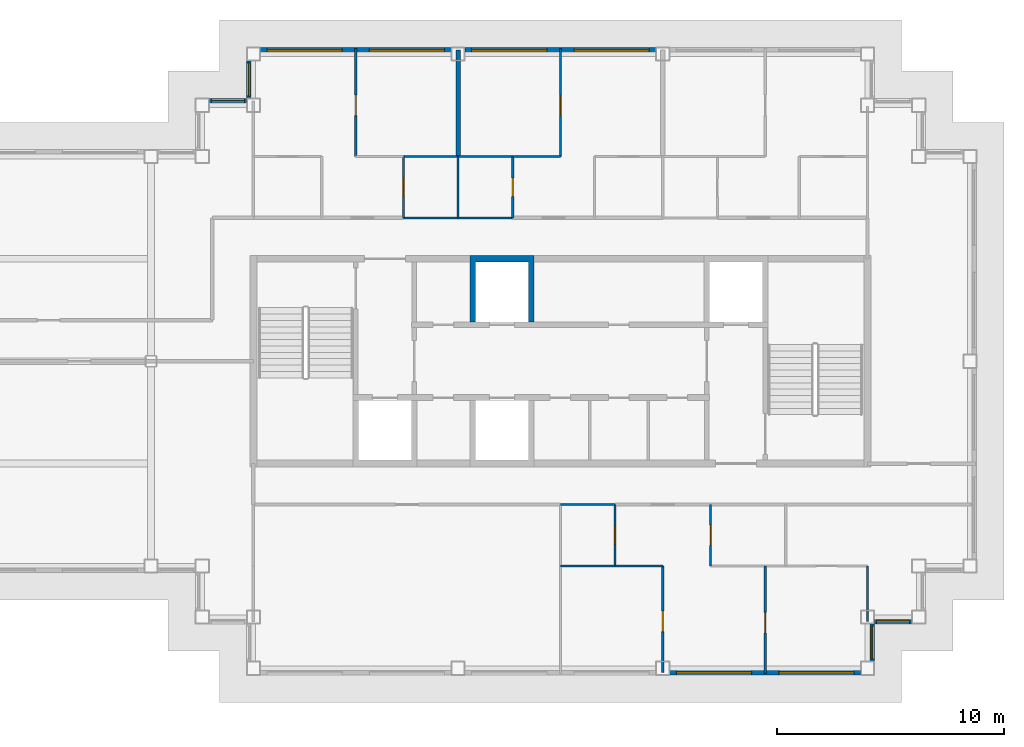
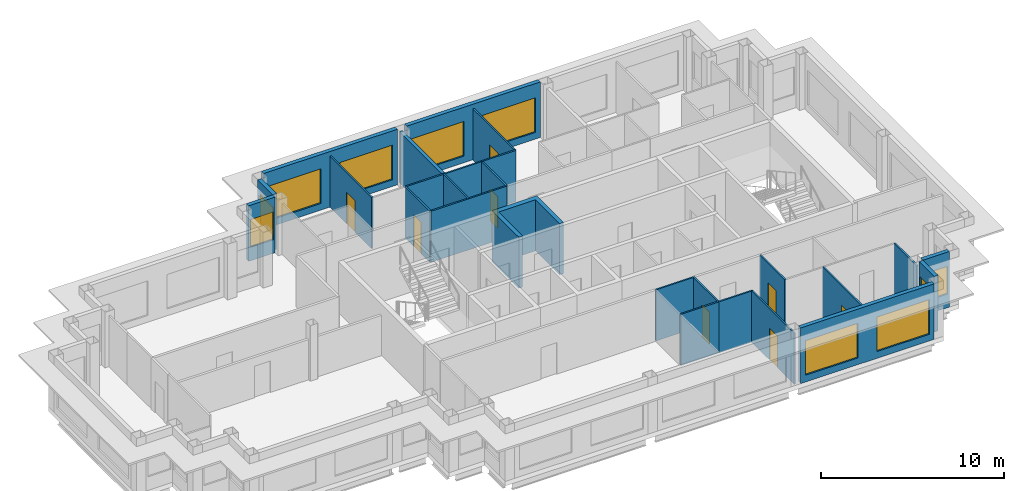
# One storey, part 4 of 11: 25 walls, 10 windows, 8 doors, 18 openings.
"""IFC4 building model written with IfcOpenShell, lengths in metres."""

from ifc_helpers import new_model, si_unit, direction, frame, frame_2d, origin, place, context, subcontext, project, spatial, polyline, rectangle, outline, extrude, material, layer, layer_set, type_object, element, fill, save


model = new_model("IFC4")

# Units and contexts
model_context = context("Model", 3, precision=1e-05, world=origin(), true_north=direction((0.0, 1.0)))
body_context = subcontext(model_context, "Body", "Model", "MODEL_VIEW")
ifc_project = project(units=[si_unit("LENGTHUNIT", "METRE"), si_unit("AREAUNIT", "SQUARE_METRE"), si_unit("VOLUMEUNIT", "CUBIC_METRE"), si_unit("PLANEANGLEUNIT", "RADIAN"), si_unit("MASSUNIT", "GRAM", prefix="KILO")], contexts=[model_context])

# Site, building, storey
site_placement = place(None, origin())
site = spatial("IfcSite", under=ifc_project, at=site_placement, CompositionType="ELEMENT")
building_placement = place(site_placement, origin())
building = spatial("IfcBuilding", under=site, at=building_placement, Name="Caravel Reach Hotel and Residences", CompositionType="ELEMENT")
storey_placement = place(building_placement, frame((0.0, 0.0, 271.199951171875)))
storey = spatial("IfcBuildingStorey", under=building, at=storey_placement, Name="L69", CompositionType="ELEMENT", Elevation=271.199951171875)

# Walls
ifc_material_1 = material(Name="Gypsum board on steel stud", Category="steel")
ifc_layer_1 = layer(ifc_material_1, 0.10009765625)
ifc_layer_set_1 = layer_set([ifc_layer_1], Name="Bathroom pod wall 100 mm")
wall_type_1 = type_object("IfcWallType", Name="Bathroom pod wall 100 mm", PredefinedType="PARTITIONING", material=ifc_layer_set_1)
for number, where, z_axis, x_axis, name in (
    (1, (31.5, 18.0, 0.0), (0.0, 0.0, 1.0), (1.0, 0.0, 0.0), "L69 wall w055"),
    (2, (31.5, 20.699951171875, 0.0), (0.0, 0.0, 1.0), (1.0, 0.0, 0.0), "L69 wall w056"),
):
    element("IfcWall", number, at=place(storey_placement, frame(where, z_axis=z_axis, x_axis=x_axis)), inside=storey, type_object=wall_type_1, Name=name, PredefinedType="PARTITIONING", context=body_context, shape_type="SweptSolid", body=[
        extrude(rectangle(XDim=2.39990234375, YDim=0.10009765625, at=frame_2d((1.199951171875, 0.0))), origin(), (0.0, 0.0, 1.0), 3.400146484375),
    ])
for number, where, z_axis, x_axis, name in (
    (3, (24.60009765625, 33.300048828125, 0.0), (0.0, 0.0, 1.0), (1.0, 0.0, 0.0), "L69 wall w057"),
    (4, (24.60009765625, 36.0, 0.0), (0.0, 0.0, 1.0), (1.0, 0.0, 0.0), "L69 wall w060"),
):
    element("IfcWall", number, at=place(storey_placement, frame(where, z_axis=z_axis, x_axis=x_axis)), inside=storey, type_object=wall_type_1, Name=name, PredefinedType="PARTITIONING", context=body_context, shape_type="SweptSolid", body=[
        extrude(rectangle(XDim=4.7998046875, YDim=0.10009765625, at=frame_2d((2.39990234375, 0.0))), origin(), (0.0, 0.0, 1.0), 3.400146484375),
    ])

# Wall, opening, door
wall_1_placement = place(storey_placement, frame((24.60009765625, 33.300048828125, 0.0), z_axis=(0.0, 0.0, 1.0), x_axis=(0.0, 1.0, 0.0)))
wall_1 = element("IfcWall", 5, at=wall_1_placement, inside=storey, type_object=wall_type_1, Name="L69 wall w063", PredefinedType="PARTITIONING", context=body_context, shape_type="SweptSolid", body=[
    extrude(rectangle(XDim=2.699951171875, YDim=0.10009765625, at=frame_2d((1.35009765625, 0.0))), origin(), (0.0, 0.0, 1.0), 3.400146484375),
])
opening_1_placement = place(wall_1_placement, frame((0.949951171875, 0.0, 0.0)))
opening_1 = element("IfcOpeningElement", 6, at=opening_1_placement, cuts=wall_1, Name="Opening D69-019", PredefinedType="OPENING", context=body_context, shape_type="SweptSolid", body=[
    extrude(rectangle(XDim=0.800048828125, YDim=2.10009765625, at=frame_2d((0.39990234375, 1.050048828125))), frame((0.0, 0.06005859375, 0.0), z_axis=(0.0, -1.0, 0.0), x_axis=(1.0, 0.0, 0.0)), (0.0, 0.0, 1.0), 0.1201171875),
])
ifc_material_2 = material(Name="Timber and steel door leaf", Category="steel")
door_type_1 = type_object("IfcDoorType", Name="Bathroom door 800 x 2100", OperationType="SINGLE_SWING_LEFT", PredefinedType="DOOR", material=ifc_material_2)
door_1_placement = place(opening_1_placement, origin())
door_1 = element("IfcDoor", 7, at=door_1_placement, inside=storey, type_object=door_type_1, Name="door D69-019", OperationType="SINGLE_SWING_LEFT", OverallHeight=2.10009765625, OverallWidth=0.800048828125, PredefinedType="DOOR", context=body_context, shape_type="SweptSolid", body=[
    extrude(rectangle(XDim=0.800048828125, YDim=2.10009765625, at=frame_2d((0.39990234375, 1.050048828125))), frame((0.0, 0.02490234375, 0.0), z_axis=(0.0, -1.0, 0.0), x_axis=(1.0, 0.0, 0.0)), (0.0, 0.0, 1.0), 0.050048828125),
])
fill(opening_1, door_1)

# Wall
wall_2_placement = place(storey_placement, frame((27.0, 33.300048828125, 0.0), z_axis=(0.0, 0.0, 1.0), x_axis=(0.0, 1.0, 0.0)))
element("IfcWall", 8, at=wall_2_placement, inside=storey, type_object=wall_type_1, Name="L69 wall w064", PredefinedType="PARTITIONING", context=body_context, shape_type="SweptSolid", body=[
    extrude(rectangle(XDim=2.699951171875, YDim=0.10009765625, at=frame_2d((1.35009765625, 0.0))), origin(), (0.0, 0.0, 1.0), 3.400146484375),
])

# Wall, opening, door
wall_3_placement = place(storey_placement, frame((29.39990234375, 33.300048828125, 0.0), z_axis=(0.0, 0.0, 1.0), x_axis=(0.0, 1.0, 0.0)))
wall_3 = element("IfcWall", 9, at=wall_3_placement, inside=storey, type_object=wall_type_1, Name="L69 wall w065", PredefinedType="PARTITIONING", context=body_context, shape_type="SweptSolid", body=[
    extrude(rectangle(XDim=2.699951171875, YDim=0.10009765625, at=frame_2d((1.35009765625, 0.0))), origin(), (0.0, 0.0, 1.0), 3.400146484375),
])
opening_2_placement = place(wall_3_placement, frame((0.949951171875, 0.0, 0.0)))
opening_2 = element("IfcOpeningElement", 10, at=opening_2_placement, cuts=wall_3, Name="Opening D69-022", PredefinedType="OPENING", context=body_context, shape_type="SweptSolid", body=[
    extrude(rectangle(XDim=0.800048828125, YDim=2.10009765625, at=frame_2d((0.39990234375, 1.050048828125))), frame((0.0, 0.06005859375, 0.0), z_axis=(0.0, -1.0, 0.0), x_axis=(1.0, 0.0, 0.0)), (0.0, 0.0, 1.0), 0.1201171875),
])
door_2_placement = place(opening_2_placement, origin())
door_2 = element("IfcDoor", 11, at=door_2_placement, inside=storey, type_object=door_type_1, Name="door D69-022", OperationType="SINGLE_SWING_RIGHT", OverallHeight=2.10009765625, OverallWidth=0.800048828125, PredefinedType="DOOR", context=body_context, shape_type="SweptSolid", body=[
    extrude(rectangle(XDim=0.800048828125, YDim=2.10009765625, at=frame_2d((0.39990234375, 1.050048828125))), frame((0.0, 0.02490234375, 0.0), z_axis=(0.0, -1.0, 0.0), x_axis=(1.0, 0.0, 0.0)), (0.0, 0.0, 1.0), 0.050048828125),
])
fill(opening_2, door_2)

wall_4_placement = place(storey_placement, frame((33.89990234375, 18.0, 0.0), z_axis=(0.0, 0.0, 1.0), x_axis=(0.0, 1.0, 0.0)))
wall_4 = element("IfcWall", 12, at=wall_4_placement, inside=storey, type_object=wall_type_1, Name="L69 wall w067", PredefinedType="PARTITIONING", context=body_context, shape_type="SweptSolid", body=[
    extrude(rectangle(XDim=2.699951171875, YDim=0.10009765625, at=frame_2d((1.35009765625, 0.0))), origin(), (0.0, 0.0, 1.0), 3.400146484375),
])
opening_3_placement = place(wall_4_placement, frame((0.949951171875, 0.0, 0.0)))
opening_3 = element("IfcOpeningElement", 13, at=opening_3_placement, cuts=wall_4, Name="Opening D69-033", PredefinedType="OPENING", context=body_context, shape_type="SweptSolid", body=[
    extrude(rectangle(XDim=0.800048828125, YDim=2.10009765625, at=frame_2d((0.39990234375, 1.050048828125))), frame((0.0, 0.06005859375, 0.0), z_axis=(0.0, -1.0, 0.0), x_axis=(1.0, 0.0, 0.0)), (0.0, 0.0, 1.0), 0.1201171875),
])
door_3_placement = place(opening_3_placement, origin())
door_3 = element("IfcDoor", 14, at=door_3_placement, inside=storey, type_object=door_type_1, Name="door D69-033", OperationType="SINGLE_SWING_RIGHT", OverallHeight=2.10009765625, OverallWidth=0.800048828125, PredefinedType="DOOR", context=body_context, shape_type="SweptSolid", body=[
    extrude(rectangle(XDim=0.800048828125, YDim=2.10009765625, at=frame_2d((0.39990234375, 1.050048828125))), frame((0.0, 0.02490234375, 0.0), z_axis=(0.0, -1.0, 0.0), x_axis=(1.0, 0.0, 0.0)), (0.0, 0.0, 1.0), 0.050048828125),
])
fill(opening_3, door_3)

# Wall, openings, windows
ifc_material_3 = material(Name="Insulated rainscreen wall, aluminium cladding", Category="aluminium")
ifc_layer_2 = layer(ifc_material_3, 0.25)
ifc_layer_set_2 = layer_set([ifc_layer_2], Name="EW1 Tower rainscreen wall")
wall_type_2 = type_object("IfcWallType", Name="EW1 Tower rainscreen wall", PredefinedType="SOLIDWALL", material=ifc_layer_set_2)
wall_5_placement = place(storey_placement, frame((36.300048828125, 13.324951171875, 0.0), z_axis=(0.0, 0.0, 1.0), x_axis=(1.0, 0.0, 0.0)))
wall_5 = element("IfcWall", 15, at=wall_5_placement, inside=storey, type_object=wall_type_2, Name="External wall L69 S4.3", PredefinedType="SOLIDWALL", context=body_context, shape_type="SweptSolid", body=[
    extrude(rectangle(XDim=8.39990234375, YDim=0.25, at=frame_2d((4.199951171875, 0.0))), origin(), (0.0, 0.0, 1.0), 3.699951171875),
])
opening_4_placement = place(wall_5_placement, frame((0.300048828125, 0.0, 0.449951171875)))
opening_4 = element("IfcOpeningElement", 16, at=opening_4_placement, cuts=wall_5, Name="Opening WN15", PredefinedType="OPENING", context=body_context, shape_type="SweptSolid", body=[
    extrude(rectangle(XDim=3.300048828125, YDim=2.300048828125, at=frame_2d((1.64990234375, 1.14990234375))), frame((0.0, 0.135009765625, 0.0), z_axis=(0.0, -1.0, 0.0), x_axis=(1.0, 0.0, 0.0)), (0.0, 0.0, 1.0), 0.27001953125),
])
opening_5_placement = place(wall_5_placement, frame((4.800048828125, 0.0, 0.449951171875)))
opening_5 = element("IfcOpeningElement", 17, at=opening_5_placement, cuts=wall_5, Name="Opening WN15", PredefinedType="OPENING", context=body_context, shape_type="SweptSolid", body=[
    extrude(rectangle(XDim=3.300048828125, YDim=2.300048828125, at=frame_2d((1.64990234375, 1.14990234375))), frame((0.0, 0.135009765625, 0.0), z_axis=(0.0, -1.0, 0.0), x_axis=(1.0, 0.0, 0.0)), (0.0, 0.0, 1.0), 0.27001953125),
])
ifc_material_4 = material(Name="Dark low-e glazing in black aluminium frame", Category="aluminium")
window_type_1 = type_object("IfcWindowType", Name="Residence living window 3300 x 2300", PartitioningType="SINGLE_PANEL", PredefinedType="WINDOW", material=ifc_material_4)
window_1_placement = place(opening_4_placement, origin())
window_1 = element("IfcWindow", 18, at=window_1_placement, inside=storey, type_object=window_type_1, Name="Window L69 S4.3.1", OverallHeight=2.300048828125, OverallWidth=3.300048828125, PartitioningType="SINGLE_PANEL", PredefinedType="WINDOW", context=body_context, shape_type="SweptSolid", body=[
    extrude(rectangle(XDim=3.300048828125, YDim=2.300048828125, at=frame_2d((1.64990234375, 1.14990234375))), frame((0.0, 0.030029296875, 0.0), z_axis=(0.0, -1.0, 0.0), x_axis=(1.0, 0.0, 0.0)), (0.0, 0.0, 1.0), 0.06005859375),
])
fill(opening_4, window_1)
window_2_placement = place(opening_5_placement, origin())
window_2 = element("IfcWindow", 19, at=window_2_placement, inside=storey, type_object=window_type_1, Name="Window L69 S4.3.2", OverallHeight=2.300048828125, OverallWidth=3.300048828125, PartitioningType="SINGLE_PANEL", PredefinedType="WINDOW", context=body_context, shape_type="SweptSolid", body=[
    extrude(rectangle(XDim=3.300048828125, YDim=2.300048828125, at=frame_2d((1.64990234375, 1.14990234375))), frame((0.0, 0.030029296875, 0.0), z_axis=(0.0, -1.0, 0.0), x_axis=(1.0, 0.0, 0.0)), (0.0, 0.0, 1.0), 0.06005859375),
])
fill(opening_5, window_2)

# Wall, opening, window
wall_6_placement = place(storey_placement, frame((45.175048828125, 13.800048828125, 0.0), z_axis=(0.0, 0.0, 1.0), x_axis=(0.0, 1.0, 0.0)))
wall_6 = element("IfcWall", 20, at=wall_6_placement, inside=storey, type_object=wall_type_2, Name="External wall L69 E5.1", PredefinedType="SOLIDWALL", context=body_context, shape_type="SweptSolid", body=[
    extrude(rectangle(XDim=1.64990234375, YDim=0.25, at=frame_2d((0.824951171875, 0.0))), origin(), (0.0, 0.0, 1.0), 3.699951171875),
])
opening_6_placement = place(wall_6_placement, frame((0.10009765625, 0.0, 0.89990234375)))
opening_6 = element("IfcOpeningElement", 21, at=opening_6_placement, cuts=wall_6, Name="Opening WN25", PredefinedType="OPENING", context=body_context, shape_type="SweptSolid", body=[
    extrude(rectangle(XDim=1.449951171875, YDim=1.85009765625, at=frame_2d((0.72509765625, 0.925048828125))), frame((0.0, 0.135009765625, 0.0), z_axis=(0.0, -1.0, 0.0), x_axis=(1.0, 0.0, 0.0)), (0.0, 0.0, 1.0), 0.27001953125),
])
ifc_material_5 = material(Name="Dark low-e glazing in black aluminium frame", Category="aluminium")
window_type_2 = type_object("IfcWindowType", Name="Residence bedroom window 1450 x 1850", PartitioningType="SINGLE_PANEL", PredefinedType="WINDOW", material=ifc_material_5)
window_3_placement = place(opening_6_placement, origin())
window_3 = element("IfcWindow", 22, at=window_3_placement, inside=storey, type_object=window_type_2, Name="Window L69 E5.1.1", OverallHeight=1.85009765625, OverallWidth=1.449951171875, PartitioningType="SINGLE_PANEL", PredefinedType="WINDOW", context=body_context, shape_type="SweptSolid", body=[
    extrude(rectangle(XDim=1.449951171875, YDim=1.85009765625, at=frame_2d((0.72509765625, 0.925048828125))), frame((0.0, 0.030029296875, 0.0), z_axis=(0.0, -1.0, 0.0), x_axis=(1.0, 0.0, 0.0)), (0.0, 0.0, 1.0), 0.06005859375),
])
fill(opening_6, window_3)

wall_7_placement = place(storey_placement, frame((45.300048828125, 15.574951171875, 0.0), z_axis=(0.0, 0.0, 1.0), x_axis=(1.0, 0.0, 0.0)))
wall_7 = element("IfcWall", 23, at=wall_7_placement, inside=storey, type_object=wall_type_2, Name="External wall L69 S6.1", PredefinedType="SOLIDWALL", context=body_context, shape_type="SweptSolid", body=[
    extrude(rectangle(XDim=1.64990234375, YDim=0.25, at=frame_2d((0.824951171875, 0.0))), origin(), (0.0, 0.0, 1.0), 3.699951171875),
])
opening_7_placement = place(wall_7_placement, frame((0.10009765625, 0.0, 0.89990234375)))
opening_7 = element("IfcOpeningElement", 24, at=opening_7_placement, cuts=wall_7, Name="Opening WN25", PredefinedType="OPENING", context=body_context, shape_type="SweptSolid", body=[
    extrude(rectangle(XDim=1.449951171875, YDim=1.85009765625, at=frame_2d((0.72509765625, 0.925048828125))), frame((0.0, 0.135009765625, 0.0), z_axis=(0.0, -1.0, 0.0), x_axis=(1.0, 0.0, 0.0)), (0.0, 0.0, 1.0), 0.27001953125),
])
window_4_placement = place(opening_7_placement, origin())
window_4 = element("IfcWindow", 25, at=window_4_placement, inside=storey, type_object=window_type_2, Name="Window L69 S6.1.1", OverallHeight=1.85009765625, OverallWidth=1.449951171875, PartitioningType="SINGLE_PANEL", PredefinedType="WINDOW", context=body_context, shape_type="SweptSolid", body=[
    extrude(rectangle(XDim=1.449951171875, YDim=1.85009765625, at=frame_2d((0.72509765625, 0.925048828125))), frame((0.0, 0.030029296875, 0.0), z_axis=(0.0, -1.0, 0.0), x_axis=(1.0, 0.0, 0.0)), (0.0, 0.0, 1.0), 0.06005859375),
])
fill(opening_7, window_4)

# Wall, openings, windows
wall_8_placement = place(storey_placement, frame((35.699951171875, 40.675048828125, 0.0), z_axis=(0.0, 0.0, 1.0), x_axis=(-1.0, 0.0, 0.0)))
wall_8 = element("IfcWall", 26, at=wall_8_placement, inside=storey, type_object=wall_type_2, Name="External wall L69 N14.2", PredefinedType="SOLIDWALL", context=body_context, shape_type="SweptSolid", body=[
    extrude(rectangle(XDim=8.39990234375, YDim=0.25, at=frame_2d((4.199951171875, 0.0))), origin(), (0.0, 0.0, 1.0), 3.699951171875),
])
opening_8_placement = place(wall_8_placement, frame((0.300048828125, 0.0, 0.449951171875)))
opening_8 = element("IfcOpeningElement", 27, at=opening_8_placement, cuts=wall_8, Name="Opening WN15", PredefinedType="OPENING", context=body_context, shape_type="SweptSolid", body=[
    extrude(rectangle(XDim=3.300048828125, YDim=2.300048828125, at=frame_2d((1.64990234375, 1.14990234375))), frame((0.0, 0.135009765625, 0.0), z_axis=(0.0, -1.0, 0.0), x_axis=(1.0, 0.0, 0.0)), (0.0, 0.0, 1.0), 0.27001953125),
])
opening_9_placement = place(wall_8_placement, frame((4.800048828125, 0.0, 0.449951171875)))
opening_9 = element("IfcOpeningElement", 28, at=opening_9_placement, cuts=wall_8, Name="Opening WN15", PredefinedType="OPENING", context=body_context, shape_type="SweptSolid", body=[
    extrude(rectangle(XDim=3.300048828125, YDim=2.300048828125, at=frame_2d((1.64990234375, 1.14990234375))), frame((0.0, 0.135009765625, 0.0), z_axis=(0.0, -1.0, 0.0), x_axis=(1.0, 0.0, 0.0)), (0.0, 0.0, 1.0), 0.27001953125),
])
window_5_placement = place(opening_8_placement, origin())
window_5 = element("IfcWindow", 29, at=window_5_placement, inside=storey, type_object=window_type_1, Name="Window L69 N14.2.1", OverallHeight=2.300048828125, OverallWidth=3.300048828125, PartitioningType="SINGLE_PANEL", PredefinedType="WINDOW", context=body_context, shape_type="SweptSolid", body=[
    extrude(rectangle(XDim=3.300048828125, YDim=2.300048828125, at=frame_2d((1.64990234375, 1.14990234375))), frame((0.0, 0.030029296875, 0.0), z_axis=(0.0, -1.0, 0.0), x_axis=(1.0, 0.0, 0.0)), (0.0, 0.0, 1.0), 0.06005859375),
])
fill(opening_8, window_5)
window_6_placement = place(opening_9_placement, origin())
window_6 = element("IfcWindow", 30, at=window_6_placement, inside=storey, type_object=window_type_1, Name="Window L69 N14.2.2", OverallHeight=2.300048828125, OverallWidth=3.300048828125, PartitioningType="SINGLE_PANEL", PredefinedType="WINDOW", context=body_context, shape_type="SweptSolid", body=[
    extrude(rectangle(XDim=3.300048828125, YDim=2.300048828125, at=frame_2d((1.64990234375, 1.14990234375))), frame((0.0, 0.030029296875, 0.0), z_axis=(0.0, -1.0, 0.0), x_axis=(1.0, 0.0, 0.0)), (0.0, 0.0, 1.0), 0.06005859375),
])
fill(opening_9, window_6)

wall_9_placement = place(storey_placement, frame((26.699951171875, 40.675048828125, 0.0), z_axis=(0.0, 0.0, 1.0), x_axis=(-1.0, 0.0, 0.0)))
wall_9 = element("IfcWall", 31, at=wall_9_placement, inside=storey, type_object=wall_type_2, Name="External wall L69 N14.3", PredefinedType="SOLIDWALL", context=body_context, shape_type="SweptSolid", body=[
    extrude(rectangle(XDim=8.39990234375, YDim=0.25, at=frame_2d((4.199951171875, 0.0))), origin(), (0.0, 0.0, 1.0), 3.699951171875),
])
opening_10_placement = place(wall_9_placement, frame((0.300048828125, 0.0, 0.449951171875)))
opening_10 = element("IfcOpeningElement", 32, at=opening_10_placement, cuts=wall_9, Name="Opening WN15", PredefinedType="OPENING", context=body_context, shape_type="SweptSolid", body=[
    extrude(rectangle(XDim=3.300048828125, YDim=2.300048828125, at=frame_2d((1.64990234375, 1.14990234375))), frame((0.0, 0.135009765625, 0.0), z_axis=(0.0, -1.0, 0.0), x_axis=(1.0, 0.0, 0.0)), (0.0, 0.0, 1.0), 0.27001953125),
])
opening_11_placement = place(wall_9_placement, frame((4.800048828125, 0.0, 0.449951171875)))
opening_11 = element("IfcOpeningElement", 33, at=opening_11_placement, cuts=wall_9, Name="Opening WN15", PredefinedType="OPENING", context=body_context, shape_type="SweptSolid", body=[
    extrude(rectangle(XDim=3.300048828125, YDim=2.300048828125, at=frame_2d((1.64990234375, 1.14990234375))), frame((0.0, 0.135009765625, 0.0), z_axis=(0.0, -1.0, 0.0), x_axis=(1.0, 0.0, 0.0)), (0.0, 0.0, 1.0), 0.27001953125),
])
window_7_placement = place(opening_10_placement, origin())
window_7 = element("IfcWindow", 34, at=window_7_placement, inside=storey, type_object=window_type_1, Name="Window L69 N14.3.1", OverallHeight=2.300048828125, OverallWidth=3.300048828125, PartitioningType="SINGLE_PANEL", PredefinedType="WINDOW", context=body_context, shape_type="SweptSolid", body=[
    extrude(rectangle(XDim=3.300048828125, YDim=2.300048828125, at=frame_2d((1.64990234375, 1.14990234375))), frame((0.0, 0.030029296875, 0.0), z_axis=(0.0, -1.0, 0.0), x_axis=(1.0, 0.0, 0.0)), (0.0, 0.0, 1.0), 0.06005859375),
])
fill(opening_10, window_7)
window_8_placement = place(opening_11_placement, origin())
window_8 = element("IfcWindow", 35, at=window_8_placement, inside=storey, type_object=window_type_1, Name="Window L69 N14.3.2", OverallHeight=2.300048828125, OverallWidth=3.300048828125, PartitioningType="SINGLE_PANEL", PredefinedType="WINDOW", context=body_context, shape_type="SweptSolid", body=[
    extrude(rectangle(XDim=3.300048828125, YDim=2.300048828125, at=frame_2d((1.64990234375, 1.14990234375))), frame((0.0, 0.030029296875, 0.0), z_axis=(0.0, -1.0, 0.0), x_axis=(1.0, 0.0, 0.0)), (0.0, 0.0, 1.0), 0.06005859375),
])
fill(opening_11, window_8)

# Wall, opening, window
wall_10_placement = place(storey_placement, frame((17.824951171875, 40.199951171875, 0.0), z_axis=(0.0, 0.0, 1.0), x_axis=(0.0, -1.0, 0.0)))
wall_10 = element("IfcWall", 36, at=wall_10_placement, inside=storey, type_object=wall_type_2, Name="External wall L69 W15.1", PredefinedType="SOLIDWALL", context=body_context, shape_type="SweptSolid", body=[
    extrude(rectangle(XDim=1.64990234375, YDim=0.25, at=frame_2d((0.824951171875, 0.0))), origin(), (0.0, 0.0, 1.0), 3.699951171875),
])
opening_12_placement = place(wall_10_placement, frame((0.10009765625, 0.0, 0.89990234375)))
opening_12 = element("IfcOpeningElement", 37, at=opening_12_placement, cuts=wall_10, Name="Opening WN25", PredefinedType="OPENING", context=body_context, shape_type="SweptSolid", body=[
    extrude(rectangle(XDim=1.449951171875, YDim=1.85009765625, at=frame_2d((0.72509765625, 0.925048828125))), frame((0.0, 0.135009765625, 0.0), z_axis=(0.0, -1.0, 0.0), x_axis=(1.0, 0.0, 0.0)), (0.0, 0.0, 1.0), 0.27001953125),
])
window_9_placement = place(opening_12_placement, origin())
window_9 = element("IfcWindow", 38, at=window_9_placement, inside=storey, type_object=window_type_2, Name="Window L69 W15.1.1", OverallHeight=1.85009765625, OverallWidth=1.449951171875, PartitioningType="SINGLE_PANEL", PredefinedType="WINDOW", context=body_context, shape_type="SweptSolid", body=[
    extrude(rectangle(XDim=1.449951171875, YDim=1.85009765625, at=frame_2d((0.72509765625, 0.925048828125))), frame((0.0, 0.030029296875, 0.0), z_axis=(0.0, -1.0, 0.0), x_axis=(1.0, 0.0, 0.0)), (0.0, 0.0, 1.0), 0.06005859375),
])
fill(opening_12, window_9)

wall_11_placement = place(storey_placement, frame((17.699951171875, 38.425048828125, 0.0), z_axis=(0.0, 0.0, 1.0), x_axis=(-1.0, 0.0, 0.0)))
wall_11 = element("IfcWall", 39, at=wall_11_placement, inside=storey, type_object=wall_type_2, Name="External wall L69 N16.1", PredefinedType="SOLIDWALL", context=body_context, shape_type="SweptSolid", body=[
    extrude(rectangle(XDim=1.64990234375, YDim=0.25, at=frame_2d((0.824951171875, 0.0))), origin(), (0.0, 0.0, 1.0), 3.699951171875),
])
opening_13_placement = place(wall_11_placement, frame((0.10009765625, 0.0, 0.89990234375)))
opening_13 = element("IfcOpeningElement", 40, at=opening_13_placement, cuts=wall_11, Name="Opening WN25", PredefinedType="OPENING", context=body_context, shape_type="SweptSolid", body=[
    extrude(rectangle(XDim=1.449951171875, YDim=1.85009765625, at=frame_2d((0.72509765625, 0.925048828125))), frame((0.0, 0.135009765625, 0.0), z_axis=(0.0, -1.0, 0.0), x_axis=(1.0, 0.0, 0.0)), (0.0, 0.0, 1.0), 0.27001953125),
])
window_10_placement = place(opening_13_placement, origin())
window_10 = element("IfcWindow", 41, at=window_10_placement, inside=storey, type_object=window_type_2, Name="Window L69 N16.1.1", OverallHeight=1.85009765625, OverallWidth=1.449951171875, PartitioningType="SINGLE_PANEL", PredefinedType="WINDOW", context=body_context, shape_type="SweptSolid", body=[
    extrude(rectangle(XDim=1.449951171875, YDim=1.85009765625, at=frame_2d((0.72509765625, 0.925048828125))), frame((0.0, 0.030029296875, 0.0), z_axis=(0.0, -1.0, 0.0), x_axis=(1.0, 0.0, 0.0)), (0.0, 0.0, 1.0), 0.06005859375),
])
fill(opening_13, window_10)

# Walls
ifc_material_6 = material(Name="Gypsum board on steel stud", Category="steel")
ifc_layer_3 = layer(ifc_material_6, 0.10009765625)
ifc_layer_set_3 = layer_set([ifc_layer_3], Name="Partition 100 mm")
wall_type_3 = type_object("IfcWallType", Name="Partition 100 mm", PredefinedType="PARTITIONING", material=ifc_layer_set_3)
for number, where, z_axis, x_axis, name in (
    (42, (33.89990234375, 18.0, 0.0), (0.0, 0.0, 1.0), (1.0, 0.0, 0.0), "L69 wall w021"),
    (43, (29.39990234375, 36.0, 0.0), (0.0, 0.0, 1.0), (1.0, 0.0, 0.0), "L69 wall w028"),
):
    element("IfcWall", number, at=place(storey_placement, frame(where, z_axis=z_axis, x_axis=x_axis)), inside=storey, type_object=wall_type_3, Name=name, PredefinedType="PARTITIONING", context=body_context, shape_type="SweptSolid", body=[
        extrude(rectangle(XDim=2.10009765625, YDim=0.10009765625, at=frame_2d((1.050048828125, 0.0))), origin(), (0.0, 0.0, 1.0), 3.400146484375),
    ])

# Wall, opening, door
wall_12_placement = place(storey_placement, frame((22.5, 36.0, 0.0), z_axis=(0.0, 0.0, 1.0), x_axis=(0.0, 1.0, 0.0)))
wall_12 = element("IfcWall", 44, at=wall_12_placement, inside=storey, type_object=wall_type_3, Name="L69 wall w037", PredefinedType="PARTITIONING", context=body_context, shape_type="SweptSolid", body=[
    extrude(rectangle(XDim=4.739990234375, YDim=0.10009765625, at=frame_2d((2.3701171875, 0.0))), origin(), (0.0, 0.0, 1.0), 3.400146484375),
])
opening_14_placement = place(wall_12_placement, frame((1.800048828125, 0.0, 0.0)))
opening_14 = element("IfcOpeningElement", 45, at=opening_14_placement, cuts=wall_12, Name="Opening D69-020", PredefinedType="OPENING", context=body_context, shape_type="SweptSolid", body=[
    extrude(rectangle(XDim=0.89990234375, YDim=2.10009765625, at=frame_2d((0.449951171875, 1.050048828125))), frame((0.0, 0.06005859375, 0.0), z_axis=(0.0, -1.0, 0.0), x_axis=(1.0, 0.0, 0.0)), (0.0, 0.0, 1.0), 0.1201171875),
])
ifc_material_7 = material(Name="Timber and steel door leaf", Category="steel")
door_type_2 = type_object("IfcDoorType", Name="Door 900 x 2100 timber", OperationType="SINGLE_SWING_LEFT", PredefinedType="DOOR", material=ifc_material_7)
door_4_placement = place(opening_14_placement, origin())
door_4 = element("IfcDoor", 46, at=door_4_placement, inside=storey, type_object=door_type_2, Name="door D69-020", OperationType="SINGLE_SWING_RIGHT", OverallHeight=2.10009765625, OverallWidth=0.89990234375, PredefinedType="DOOR", context=body_context, shape_type="SweptSolid", body=[
    extrude(rectangle(XDim=0.89990234375, YDim=2.10009765625, at=frame_2d((0.449951171875, 1.050048828125))), frame((0.0, 0.02490234375, 0.0), z_axis=(0.0, -1.0, 0.0), x_axis=(1.0, 0.0, 0.0)), (0.0, 0.0, 1.0), 0.050048828125),
])
fill(opening_14, door_4)

wall_13_placement = place(storey_placement, frame((31.5, 36.0, 0.0), z_axis=(0.0, 0.0, 1.0), x_axis=(0.0, 1.0, 0.0)))
wall_13 = element("IfcWall", 47, at=wall_13_placement, inside=storey, type_object=wall_type_3, Name="L69 wall w038", PredefinedType="PARTITIONING", context=body_context, shape_type="SweptSolid", body=[
    extrude(rectangle(XDim=4.739990234375, YDim=0.10009765625, at=frame_2d((2.3701171875, 0.0))), origin(), (0.0, 0.0, 1.0), 3.400146484375),
])
opening_15_placement = place(wall_13_placement, frame((1.800048828125, 0.0, 0.0)))
opening_15 = element("IfcOpeningElement", 48, at=opening_15_placement, cuts=wall_13, Name="Opening D69-024", PredefinedType="OPENING", context=body_context, shape_type="SweptSolid", body=[
    extrude(rectangle(XDim=0.89990234375, YDim=2.10009765625, at=frame_2d((0.449951171875, 1.050048828125))), frame((0.0, 0.06005859375, 0.0), z_axis=(0.0, -1.0, 0.0), x_axis=(1.0, 0.0, 0.0)), (0.0, 0.0, 1.0), 0.1201171875),
])
door_5_placement = place(opening_15_placement, origin())
door_5 = element("IfcDoor", 49, at=door_5_placement, inside=storey, type_object=door_type_2, Name="door D69-024", OperationType="SINGLE_SWING_LEFT", OverallHeight=2.10009765625, OverallWidth=0.89990234375, PredefinedType="DOOR", context=body_context, shape_type="SweptSolid", body=[
    extrude(rectangle(XDim=0.89990234375, YDim=2.10009765625, at=frame_2d((0.449951171875, 1.050048828125))), frame((0.0, 0.02490234375, 0.0), z_axis=(0.0, -1.0, 0.0), x_axis=(1.0, 0.0, 0.0)), (0.0, 0.0, 1.0), 0.050048828125),
])
fill(opening_15, door_5)

wall_14_placement = place(storey_placement, frame((36.0, 13.31005859375, 0.0), z_axis=(0.0, 0.0, 1.0), x_axis=(0.0, 1.0, 0.0)))
wall_14 = element("IfcWall", 50, at=wall_14_placement, inside=storey, type_object=wall_type_3, Name="L69 wall w041", PredefinedType="PARTITIONING", context=body_context, shape_type="SweptSolid", body=[
    extrude(rectangle(XDim=4.68994140625, YDim=0.10009765625, at=frame_2d((2.344970703125, 0.0))), origin(), (0.0, 0.0, 1.0), 3.400146484375),
])
opening_16_placement = place(wall_14_placement, frame((1.800048828125, 0.0, 0.0)))
opening_16 = element("IfcOpeningElement", 51, at=opening_16_placement, cuts=wall_14, Name="Opening D69-036", PredefinedType="OPENING", context=body_context, shape_type="SweptSolid", body=[
    extrude(rectangle(XDim=0.89990234375, YDim=2.10009765625, at=frame_2d((0.449951171875, 1.050048828125))), frame((0.0, 0.06005859375, 0.0), z_axis=(0.0, -1.0, 0.0), x_axis=(1.0, 0.0, 0.0)), (0.0, 0.0, 1.0), 0.1201171875),
])
door_6_placement = place(opening_16_placement, origin())
door_6 = element("IfcDoor", 52, at=door_6_placement, inside=storey, type_object=door_type_2, Name="door D69-036", OperationType="SINGLE_SWING_RIGHT", OverallHeight=2.10009765625, OverallWidth=0.89990234375, PredefinedType="DOOR", context=body_context, shape_type="SweptSolid", body=[
    extrude(rectangle(XDim=0.89990234375, YDim=2.10009765625, at=frame_2d((0.449951171875, 1.050048828125))), frame((0.0, 0.02490234375, 0.0), z_axis=(0.0, -1.0, 0.0), x_axis=(1.0, 0.0, 0.0)), (0.0, 0.0, 1.0), 0.050048828125),
])
fill(opening_16, door_6)

wall_15_placement = place(storey_placement, frame((38.10009765625, 18.0, 0.0), z_axis=(0.0, 0.0, 1.0), x_axis=(0.0, 1.0, 0.0)))
wall_15 = element("IfcWall", 53, at=wall_15_placement, inside=storey, type_object=wall_type_3, Name="L69 wall w042", PredefinedType="PARTITIONING", context=body_context, shape_type="SweptSolid", body=[
    extrude(rectangle(XDim=2.699951171875, YDim=0.10009765625, at=frame_2d((1.35009765625, 0.0))), origin(), (0.0, 0.0, 1.0), 3.400146484375),
])
opening_17_placement = place(wall_15_placement, frame((0.89990234375, 0.0, 0.0)))
opening_17 = element("IfcOpeningElement", 54, at=opening_17_placement, cuts=wall_15, Name="Opening D69-034", PredefinedType="OPENING", context=body_context, shape_type="SweptSolid", body=[
    extrude(rectangle(XDim=0.89990234375, YDim=2.10009765625, at=frame_2d((0.449951171875, 1.050048828125))), frame((0.0, 0.06005859375, 0.0), z_axis=(0.0, -1.0, 0.0), x_axis=(1.0, 0.0, 0.0)), (0.0, 0.0, 1.0), 0.1201171875),
])
door_7_placement = place(opening_17_placement, origin())
door_7 = element("IfcDoor", 55, at=door_7_placement, inside=storey, type_object=door_type_2, Name="door D69-034", OperationType="SINGLE_SWING_RIGHT", OverallHeight=2.10009765625, OverallWidth=0.89990234375, PredefinedType="DOOR", context=body_context, shape_type="SweptSolid", body=[
    extrude(rectangle(XDim=0.89990234375, YDim=2.10009765625, at=frame_2d((0.449951171875, 1.050048828125))), frame((0.0, 0.02490234375, 0.0), z_axis=(0.0, -1.0, 0.0), x_axis=(1.0, 0.0, 0.0)), (0.0, 0.0, 1.0), 0.050048828125),
])
fill(opening_17, door_7)

wall_16_placement = place(storey_placement, frame((40.5, 13.260009765625, 0.0), z_axis=(0.0, 0.0, 1.0), x_axis=(0.0, 1.0, 0.0)))
wall_16 = element("IfcWall", 56, at=wall_16_placement, inside=storey, type_object=wall_type_3, Name="L69 wall w047", PredefinedType="PARTITIONING", context=body_context, shape_type="SweptSolid", body=[
    extrude(rectangle(XDim=4.739990234375, YDim=0.10009765625, at=frame_2d((2.3701171875, 0.0))), origin(), (0.0, 0.0, 1.0), 3.400146484375),
])
opening_18_placement = place(wall_16_placement, frame((1.800048828125, 0.0, 0.0)))
opening_18 = element("IfcOpeningElement", 57, at=opening_18_placement, cuts=wall_16, Name="Opening D69-037", PredefinedType="OPENING", context=body_context, shape_type="SweptSolid", body=[
    extrude(rectangle(XDim=0.89990234375, YDim=2.10009765625, at=frame_2d((0.449951171875, 1.050048828125))), frame((0.0, 0.06005859375, 0.0), z_axis=(0.0, -1.0, 0.0), x_axis=(1.0, 0.0, 0.0)), (0.0, 0.0, 1.0), 0.1201171875),
])
door_8_placement = place(opening_18_placement, origin())
door_8 = element("IfcDoor", 58, at=door_8_placement, inside=storey, type_object=door_type_2, Name="door D69-037", OperationType="SINGLE_SWING_RIGHT", OverallHeight=2.10009765625, OverallWidth=0.89990234375, PredefinedType="DOOR", context=body_context, shape_type="SweptSolid", body=[
    extrude(rectangle(XDim=0.89990234375, YDim=2.10009765625, at=frame_2d((0.449951171875, 1.050048828125))), frame((0.0, 0.02490234375, 0.0), z_axis=(0.0, -1.0, 0.0), x_axis=(1.0, 0.0, 0.0)), (0.0, 0.0, 1.0), 0.050048828125),
])
fill(opening_18, door_8)

# Walls
wall_17_placement = place(storey_placement, frame((45.0, 15.56005859375, 0.0), z_axis=(0.0, 0.0, 1.0), x_axis=(0.0, 1.0, 0.0)))
element("IfcWall", 59, at=wall_17_placement, inside=storey, type_object=wall_type_3, Name="L69 wall w052", PredefinedType="PARTITIONING", context=body_context, shape_type="SweptSolid", body=[
    extrude(rectangle(XDim=2.43994140625, YDim=0.10009765625, at=frame_2d((1.219970703125, 0.0))), origin(), (0.0, 0.0, 1.0), 3.400146484375),
])
ifc_material_8 = material(Name="Autoclaved aerated block wall")
ifc_layer_4 = layer(ifc_material_8, 0.199951171875)
ifc_layer_set_4 = layer_set([ifc_layer_4], Name="Party wall 200 mm EI 60")
wall_type_4 = type_object("IfcWallType", Name="Party wall 200 mm EI 60", PredefinedType="PARTITIONING", material=ifc_layer_set_4)
wall_18_placement = place(storey_placement, frame((27.0, 36.0, 0.0), z_axis=(0.0, 0.0, 1.0), x_axis=(0.0, 1.0, 0.0)))
element("IfcWall", 60, at=wall_18_placement, inside=storey, type_object=wall_type_4, Name="L69 wall w053", PredefinedType="PARTITIONING", context=body_context, shape_type="SweptSolid", body=[
    extrude(rectangle(XDim=4.68994140625, YDim=0.199951171875, at=frame_2d((2.344970703125, 0.0))), origin(), (0.0, 0.0, 1.0), 3.400146484375),
])
ifc_material_9 = material(Name="Concrete C60", Category="concrete")
ifc_layer_5 = layer(ifc_material_9, 0.25)
ifc_layer_set_5 = layer_set([ifc_layer_5], Name="Shaft wall 250 mm EI 120")
wall_type_5 = type_object("IfcWallType", Name="Shaft wall 250 mm EI 120", PredefinedType="SHEAR", material=ifc_layer_set_5)
wall_19_placement = place(storey_placement, origin())
element("IfcWall", 61, at=wall_19_placement, inside=storey, type_object=wall_type_5, Name="L69 lift shaft wall N1", PredefinedType="SHEAR", context=body_context, shape_type="SweptSolid", body=[
    extrude(outline(polyline([(27.517822265625, 28.72509765625), (27.767822265625, 28.72509765625), (27.767822265625, 31.35009765625), (30.08935546875, 31.35009765625), (30.08935546875, 28.72509765625), (30.33935546875, 28.72509765625), (30.33935546875, 31.64990234375), (27.517822265625, 31.64990234375), (27.517822265625, 28.72509765625)])), origin(), (0.0, 0.0, 1.0), 3.400146484375),
])

save(model, "model.ifc")
